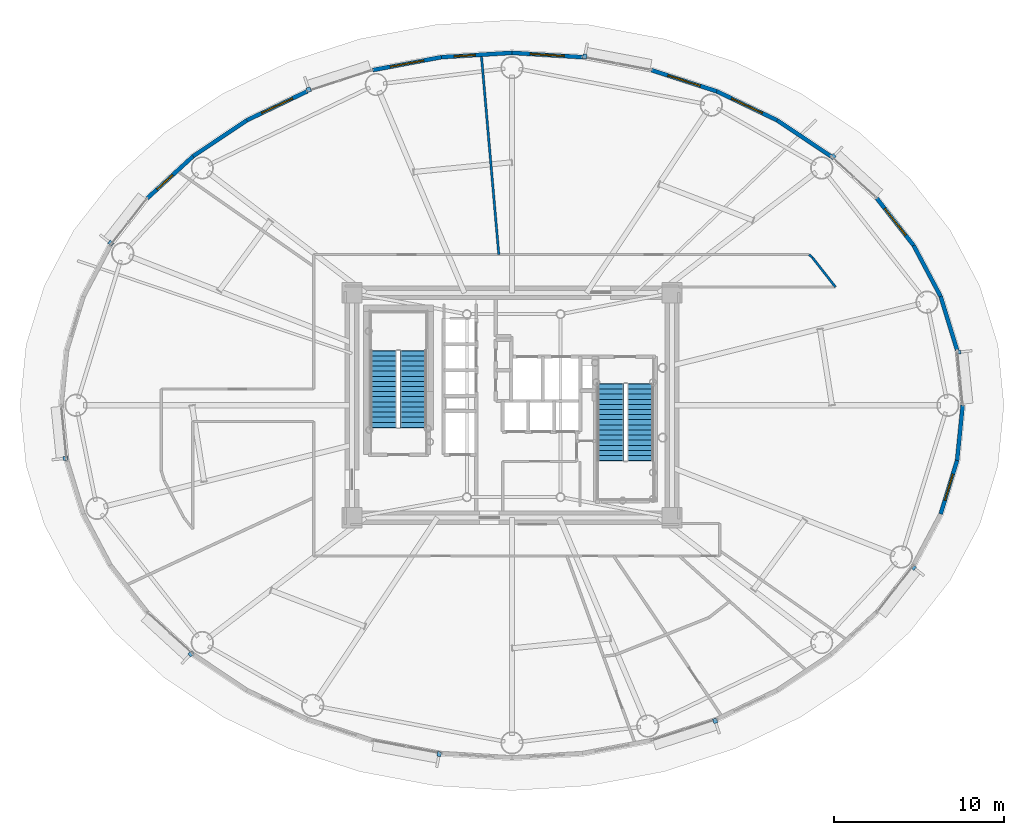
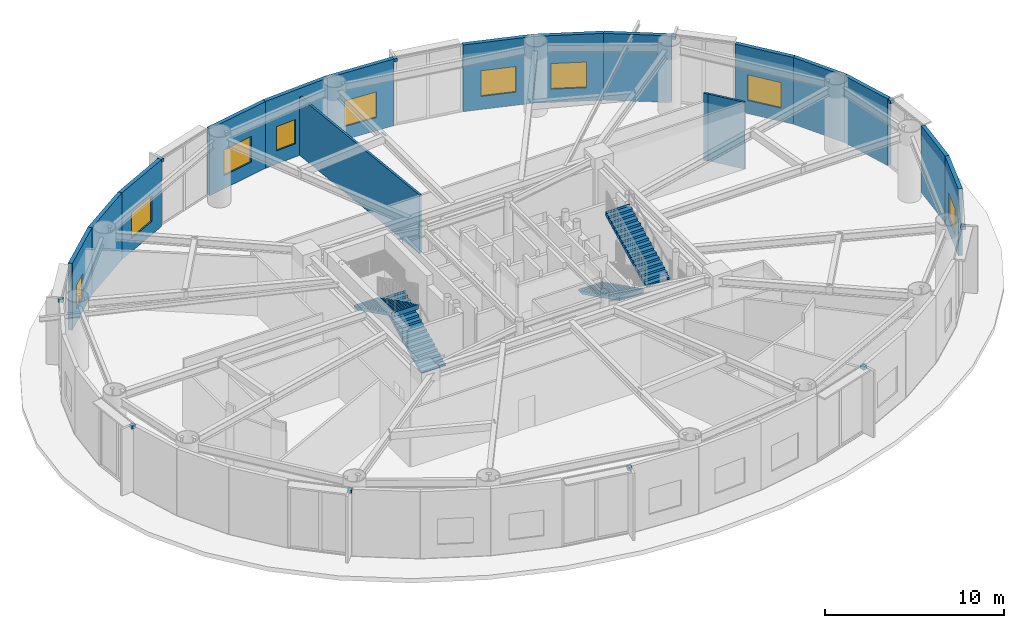
# One storey, part 30 of 38: 17 walls, 10 discrete accessories, 9 windows, 4 stair flights, 9 openings, 2 elements without a shape of their own.
"""IFC4 building model written with IfcOpenShell, lengths in metres."""

from ifc_helpers import new_model, si_unit, direction, frame, frame_2d, origin, origin_2d, place, context, subcontext, project, spatial, polyline, rectangle, outline, extrude, source, transform, mapped, material, layer, layer_set, type_object, element, fill, aggregate, save


model = new_model("IFC4")

# Units and contexts
model_context = context("Model", 3, precision=1e-05, world=origin(), true_north=direction((0.0, 1.0)))
body_context = subcontext(model_context, "Body", "Model", "MODEL_VIEW")
ifc_project = project(units=[si_unit("LENGTHUNIT", "METRE"), si_unit("AREAUNIT", "SQUARE_METRE"), si_unit("VOLUMEUNIT", "CUBIC_METRE"), si_unit("PLANEANGLEUNIT", "RADIAN"), si_unit("MASSUNIT", "GRAM", prefix="KILO")], contexts=[model_context])

# Site, building, storey
site_placement = place(None, origin())
site = spatial("IfcSite", under=ifc_project, at=site_placement, CompositionType="ELEMENT")
building_placement = place(site_placement, origin())
building = spatial("IfcBuilding", under=site, at=building_placement, Name="Linh Dai School and Residence Tower", CompositionType="ELEMENT")
storey_placement = place(building_placement, frame((0.0, 0.0, 151.35009765625)))
storey = spatial("IfcBuildingStorey", under=building, at=storey_placement, Name="L36", CompositionType="ELEMENT", Elevation=151.35009765625)

# Walls
ifc_material_1 = material(Name="Precast Concrete B45 (C35/45)", Category="concrete")
ifc_layer_1 = layer(ifc_material_1, 0.239990234375)
ifc_layer_set_1 = layer_set([ifc_layer_1], Name="Precast Concrete B45 (C35/45)")
wall_type_1 = type_object("IfcWallType", Name="EW-TC-240", PredefinedType="SOLIDWALL", material=ifc_layer_set_1)
wall_1_placement = place(storey_placement, frame((61.1826171875, 33.388916015625, 0.0), z_axis=(0.0, 0.0, 1.0), x_axis=(0.293097995113, -0.956082405058, 0.0)))
element("IfcWall", 1, at=wall_1_placement, inside=storey, type_object=wall_type_1, Name="L36 Terracotta Exterior Wall 02", PredefinedType="SOLIDWALL", context=body_context, shape_type="SweptSolid", body=[
    extrude(rectangle(XDim=3.30029296875, YDim=0.239990234375, at=frame_2d((1.650146484375, 0.0))), origin(), (0.0, 0.0, 1.0), 4.5498046875),
])
wall_2_placement = place(storey_placement, frame((59.595947265625, 36.388427734375, 0.0), z_axis=(0.0, 0.0, 1.0), x_axis=(0.467586874938, -0.88394712194, 0.0)))
element("IfcWall", 2, at=wall_2_placement, inside=storey, type_object=wall_type_1, Name="L36 Terracotta Exterior Wall 03", PredefinedType="SOLIDWALL", context=body_context, shape_type="SweptSolid", body=[
    extrude(rectangle(XDim=3.393310546875, YDim=0.239990234375, at=frame_2d((1.69677734375, 0.0))), origin(), (0.0, 0.0, 1.0), 4.5498046875),
])

# Wall, opening, window
wall_3_placement = place(storey_placement, frame((57.42822265625, 39.158447265625, 0.0), z_axis=(0.0, 0.0, 1.0), x_axis=(0.616287674549, -0.787521112224, 0.0)))
wall_3 = element("IfcWall", 3, at=wall_3_placement, inside=storey, type_object=wall_type_1, Name="L36 Terracotta Exterior Wall 04", PredefinedType="SOLIDWALL", context=body_context, shape_type="SweptSolid", body=[
    extrude(rectangle(XDim=3.517333984375, YDim=0.239990234375, at=frame_2d((1.7587890625, 0.0))), origin(), (0.0, 0.0, 1.0), 4.5498046875),
])
opening_1_placement = place(wall_3_placement, frame((0.758544921875, 0.0, 0.89990234375)))
opening_1 = element("IfcOpeningElement", 4, at=opening_1_placement, cuts=wall_3, Name="Opening W1", PredefinedType="OPENING", context=body_context, shape_type="SweptSolid", body=[
    extrude(rectangle(XDim=2.0, YDim=1.75, at=origin_2d()), frame((1.0, 0.1298828125, 0.875), z_axis=(0.0, -1.0, 0.0), x_axis=(1.0, 0.0, 0.0)), (0.0, 0.0, 1.0), 0.260009765625),
])
ifc_material_2 = material(Name="Double Low-E Insulated Glazing", Category="glass")
window_type_1 = type_object("IfcWindowType", Name="WN-RES-2000x1750", PartitioningType="DOUBLE_PANEL_VERTICAL", PredefinedType="WINDOW", material=ifc_material_2)
shared_shape_1 = source(origin(), body_context, "Body", "SweptSolid", [
    extrude(rectangle(XDim=2.0, YDim=1.75, at=origin_2d()), frame((1.0, 0.030029296875, 0.875), z_axis=(0.0, -1.0, 0.0), x_axis=(1.0, 0.0, 0.0)), (0.0, 0.0, 1.0), 0.06005859375),
])
window_1_placement = place(opening_1_placement, origin())
window_1 = element("IfcWindow", 5, at=window_1_placement, inside=storey, type_object=window_type_1, Name="L36 Exterior Window 04.1", OverallHeight=1.75, OverallWidth=2.0, PartitioningType="DOUBLE_PANEL_VERTICAL", PredefinedType="WINDOW", context=body_context, shape_type="MappedRepresentation", body=[
    mapped(shared_shape_1, transform((0.0, 0.0, 0.0), x_axis=(1.0, 0.0, 0.0), y_axis=(0.0, 1.0, 0.0), z_axis=(0.0, 0.0, 1.0), scale=1.0)),
])
fill(opening_1, window_1)

# Wall
wall_4_placement = place(storey_placement, frame((51.5732421875, 43.7431640625, 0.0), z_axis=(0.0, 0.0, 1.0), x_axis=(0.831228998277, -0.555930168657, 0.0)))
element("IfcWall", 6, at=wall_4_placement, inside=storey, type_object=wall_type_1, Name="L36 Terracotta Exterior Wall 06", PredefinedType="SOLIDWALL", context=body_context, shape_type="SweptSolid", body=[
    extrude(rectangle(XDim=3.800048828125, YDim=0.239990234375, at=frame_2d((1.89990234375, 0.0))), origin(), (0.0, 0.0, 1.0), 4.5498046875),
])

# Wall, opening, window
wall_5_placement = place(storey_placement, frame((48.02978515625, 45.443603515625, 0.0), z_axis=(0.0, 0.0, 1.0), x_axis=(0.901564733809, -0.432644231155, 0.0)))
wall_5 = element("IfcWall", 7, at=wall_5_placement, inside=storey, type_object=wall_type_1, Name="L36 Terracotta Exterior Wall 07", PredefinedType="SOLIDWALL", context=body_context, shape_type="SweptSolid", body=[
    extrude(rectangle(XDim=3.930419921875, YDim=0.239990234375, at=frame_2d((1.96533203125, 0.0))), origin(), (0.0, 0.0, 1.0), 4.5498046875),
])
opening_2_placement = place(wall_5_placement, frame((0.965087890625, 0.0, 0.89990234375)))
opening_2 = element("IfcOpeningElement", 8, at=opening_2_placement, cuts=wall_5, Name="Opening W1", PredefinedType="OPENING", context=body_context, shape_type="SweptSolid", body=[
    extrude(rectangle(XDim=2.0, YDim=1.75, at=origin_2d()), frame((1.0, 0.1298828125, 0.875), z_axis=(0.0, -1.0, 0.0), x_axis=(1.0, 0.0, 0.0)), (0.0, 0.0, 1.0), 0.260009765625),
])
window_2_placement = place(opening_2_placement, origin())
window_2 = element("IfcWindow", 9, at=window_2_placement, inside=storey, type_object=window_type_1, Name="L36 Exterior Window 07.1", OverallHeight=1.75, OverallWidth=2.0, PartitioningType="DOUBLE_PANEL_VERTICAL", PredefinedType="WINDOW", context=body_context, shape_type="MappedRepresentation", body=[
    mapped(shared_shape_1, transform((0.0, 0.0, 0.0), x_axis=(1.0, 0.0, 0.0), y_axis=(0.0, 1.0, 0.0), z_axis=(0.0, 0.0, 1.0), scale=1.0)),
])
fill(opening_2, window_2)

wall_6_placement = place(storey_placement, frame((44.18896484375, 46.689453125, 0.0), z_axis=(0.0, 0.0, 1.0), x_axis=(0.951209870236, -0.30854462038, 0.0)))
wall_6 = element("IfcWall", 10, at=wall_6_placement, inside=storey, type_object=wall_type_1, Name="L36 Terracotta Exterior Wall 08", PredefinedType="SOLIDWALL", context=body_context, shape_type="SweptSolid", body=[
    extrude(rectangle(XDim=4.037841796875, YDim=0.239990234375, at=frame_2d((2.01904296875, 0.0))), origin(), (0.0, 0.0, 1.0), 4.5498046875),
])
opening_3_placement = place(wall_6_placement, frame((1.018798828125, 0.0, 0.89990234375)))
opening_3 = element("IfcOpeningElement", 11, at=opening_3_placement, cuts=wall_6, Name="Opening W1", PredefinedType="OPENING", context=body_context, shape_type="SweptSolid", body=[
    extrude(rectangle(XDim=2.0, YDim=1.75, at=origin_2d()), frame((1.0, 0.1298828125, 0.875), z_axis=(0.0, -1.0, 0.0), x_axis=(1.0, 0.0, 0.0)), (0.0, 0.0, 1.0), 0.260009765625),
])
window_3_placement = place(opening_3_placement, origin())
window_3 = element("IfcWindow", 12, at=window_3_placement, inside=storey, type_object=window_type_1, Name="L36 Exterior Window 08.1", OverallHeight=1.75, OverallWidth=2.0, PartitioningType="DOUBLE_PANEL_VERTICAL", PredefinedType="WINDOW", context=body_context, shape_type="MappedRepresentation", body=[
    mapped(shared_shape_1, transform((0.0, 0.0, 0.0), x_axis=(1.0, 0.0, 0.0), y_axis=(0.0, 1.0, 0.0), z_axis=(0.0, 0.0, 1.0), scale=1.0)),
])
fill(opening_3, window_3)

wall_7_placement = place(storey_placement, frame((36.0, 47.705078125, 0.0), z_axis=(0.0, 0.0, 1.0), x_axis=(0.998104600619, -0.061540281305, 0.0)))
wall_7 = element("IfcWall", 13, at=wall_7_placement, inside=storey, type_object=wall_type_1, Name="L36 Terracotta Exterior Wall 10", PredefinedType="SOLIDWALL", context=body_context, shape_type="SweptSolid", body=[
    extrude(rectangle(XDim=4.153564453125, YDim=0.239990234375, at=frame_2d((2.07666015625, 0.0))), origin(), (0.0, 0.0, 1.0), 4.5498046875),
])
opening_4_placement = place(wall_7_placement, frame((1.076904296875, 0.0, 0.89990234375)))
opening_4 = element("IfcOpeningElement", 14, at=opening_4_placement, cuts=wall_7, Name="Opening W1", PredefinedType="OPENING", context=body_context, shape_type="SweptSolid", body=[
    extrude(rectangle(XDim=2.0, YDim=1.75, at=origin_2d()), frame((1.0, 0.1298828125, 0.875), z_axis=(0.0, -1.0, 0.0), x_axis=(1.0, 0.0, 0.0)), (0.0, 0.0, 1.0), 0.260009765625),
])
window_4_placement = place(opening_4_placement, origin())
window_4 = element("IfcWindow", 15, at=window_4_placement, inside=storey, type_object=window_type_1, Name="L36 Exterior Window 10.1", OverallHeight=1.75, OverallWidth=2.0, PartitioningType="DOUBLE_PANEL_VERTICAL", PredefinedType="WINDOW", context=body_context, shape_type="MappedRepresentation", body=[
    mapped(shared_shape_1, transform((0.0, 0.0, 0.0), x_axis=(1.0, 0.0, 0.0), y_axis=(0.0, 1.0, 0.0), z_axis=(0.0, 0.0, 1.0), scale=1.0)),
])
fill(opening_4, window_4)

wall_8_placement = place(storey_placement, frame((31.854248046875, 47.449462890625, 0.0), z_axis=(0.0, 0.0, 1.0), x_axis=(0.998104600619, 0.061540281305, 0.0)))
wall_8 = element("IfcWall", 16, at=wall_8_placement, inside=storey, type_object=wall_type_1, Name="L36 Terracotta Exterior Wall 11", PredefinedType="SOLIDWALL", context=body_context, shape_type="SweptSolid", body=[
    extrude(rectangle(XDim=4.153564453125, YDim=0.239990234375, at=frame_2d((2.07666015625, 0.0))), origin(), (0.0, 0.0, 1.0), 4.5498046875),
])
opening_5_placement = place(wall_8_placement, frame((0.74462890625, 0.0, 0.89990234375)))
opening_5 = element("IfcOpeningElement", 17, at=opening_5_placement, cuts=wall_8, Name="Opening W3", PredefinedType="OPENING", context=body_context, shape_type="SweptSolid", body=[
    extrude(rectangle(XDim=1.25, YDim=1.64990234375, at=origin_2d()), frame((0.625, 0.1298828125, 0.824951171875), z_axis=(0.0, -1.0, 0.0), x_axis=(1.0, 0.0, 0.0)), (0.0, 0.0, 1.0), 0.260009765625),
])
window_type_2 = type_object("IfcWindowType", Name="WN-RES-1250x1650", PartitioningType="SINGLE_PANEL", PredefinedType="WINDOW", material=ifc_material_2)
shared_shape_2 = source(origin(), body_context, "Body", "SweptSolid", [
    extrude(rectangle(XDim=1.25, YDim=1.64990234375, at=origin_2d()), frame((0.625, 0.030029296875, 0.824951171875), z_axis=(0.0, -1.0, 0.0), x_axis=(1.0, 0.0, 0.0)), (0.0, 0.0, 1.0), 0.06005859375),
])
window_5_placement = place(opening_5_placement, origin())
window_5 = element("IfcWindow", 18, at=window_5_placement, inside=storey, type_object=window_type_2, Name="L36 Exterior Window 11.1", OverallHeight=1.64990234375, OverallWidth=1.25, PartitioningType="SINGLE_PANEL", PredefinedType="WINDOW", context=body_context, shape_type="MappedRepresentation", body=[
    mapped(shared_shape_2, transform((0.0, 0.0, 0.0), x_axis=(1.0, 0.0, 0.0), y_axis=(0.0, 1.0, 0.0), z_axis=(0.0, 0.0, 1.0), scale=1.0)),
])
fill(opening_5, window_5)

wall_9_placement = place(storey_placement, frame((27.81103515625, 46.689453125, 0.0), z_axis=(0.0, 0.0, 1.0), x_axis=(0.982788108205, 0.184736391573, 0.0)))
wall_9 = element("IfcWall", 19, at=wall_9_placement, inside=storey, type_object=wall_type_1, Name="L36 Terracotta Exterior Wall 12", PredefinedType="SOLIDWALL", context=body_context, shape_type="SweptSolid", body=[
    extrude(rectangle(XDim=4.114013671875, YDim=0.239990234375, at=frame_2d((2.05712890625, 0.0))), origin(), (0.0, 0.0, 1.0), 4.5498046875),
])
opening_6_placement = place(wall_9_placement, frame((1.05712890625, 0.0, 0.89990234375)))
opening_6 = element("IfcOpeningElement", 20, at=opening_6_placement, cuts=wall_9, Name="Opening W1", PredefinedType="OPENING", context=body_context, shape_type="SweptSolid", body=[
    extrude(rectangle(XDim=2.0, YDim=1.75, at=origin_2d()), frame((1.0, 0.1298828125, 0.875), z_axis=(0.0, -1.0, 0.0), x_axis=(1.0, 0.0, 0.0)), (0.0, 0.0, 1.0), 0.260009765625),
])
window_6_placement = place(opening_6_placement, origin())
window_6 = element("IfcWindow", 21, at=window_6_placement, inside=storey, type_object=window_type_1, Name="L36 Exterior Window 12.1", OverallHeight=1.75, OverallWidth=2.0, PartitioningType="DOUBLE_PANEL_VERTICAL", PredefinedType="WINDOW", context=body_context, shape_type="MappedRepresentation", body=[
    mapped(shared_shape_1, transform((0.0, 0.0, 0.0), x_axis=(1.0, 0.0, 0.0), y_axis=(0.0, 1.0, 0.0), z_axis=(0.0, 0.0, 1.0), scale=1.0)),
])
fill(opening_6, window_6)

wall_10_placement = place(storey_placement, frame((20.4267578125, 43.7431640625, 0.0), z_axis=(0.0, 0.0, 1.0), x_axis=(0.901564733809, 0.432644231155, 0.0)))
wall_10 = element("IfcWall", 22, at=wall_10_placement, inside=storey, type_object=wall_type_1, Name="L36 Terracotta Exterior Wall 14", PredefinedType="SOLIDWALL", context=body_context, shape_type="SweptSolid", body=[
    extrude(rectangle(XDim=3.930419921875, YDim=0.239990234375, at=frame_2d((1.96533203125, 0.0))), origin(), (0.0, 0.0, 1.0), 4.5498046875),
])
opening_7_placement = place(wall_10_placement, frame((0.96533203125, 0.0, 0.89990234375)))
opening_7 = element("IfcOpeningElement", 23, at=opening_7_placement, cuts=wall_10, Name="Opening W1", PredefinedType="OPENING", context=body_context, shape_type="SweptSolid", body=[
    extrude(rectangle(XDim=2.0, YDim=1.75, at=origin_2d()), frame((1.0, 0.1298828125, 0.875), z_axis=(0.0, -1.0, 0.0), x_axis=(1.0, 0.0, 0.0)), (0.0, 0.0, 1.0), 0.260009765625),
])
window_7_placement = place(opening_7_placement, origin())
window_7 = element("IfcWindow", 24, at=window_7_placement, inside=storey, type_object=window_type_1, Name="L36 Exterior Window 14.1", OverallHeight=1.75, OverallWidth=2.0, PartitioningType="DOUBLE_PANEL_VERTICAL", PredefinedType="WINDOW", context=body_context, shape_type="MappedRepresentation", body=[
    mapped(shared_shape_1, transform((0.0, 0.0, 0.0), x_axis=(1.0, 0.0, 0.0), y_axis=(0.0, 1.0, 0.0), z_axis=(0.0, 0.0, 1.0), scale=1.0)),
])
fill(opening_7, window_7)

# Wall
wall_11_placement = place(storey_placement, frame((17.26806640625, 41.630615234375, 0.0), z_axis=(0.0, 0.0, 1.0), x_axis=(0.831228998277, 0.555930168657, 0.0)))
element("IfcWall", 25, at=wall_11_placement, inside=storey, type_object=wall_type_1, Name="L36 Terracotta Exterior Wall 15", PredefinedType="SOLIDWALL", context=body_context, shape_type="SweptSolid", body=[
    extrude(rectangle(XDim=3.800048828125, YDim=0.239990234375, at=frame_2d((1.89990234375, 0.0))), origin(), (0.0, 0.0, 1.0), 4.5498046875),
])

# Wall, opening, window
wall_12_placement = place(storey_placement, frame((14.57177734375, 39.158447265625, 0.0), z_axis=(0.0, 0.0, 1.0), x_axis=(0.737076565834, 0.675809245349, 0.0)))
wall_12 = element("IfcWall", 26, at=wall_12_placement, inside=storey, type_object=wall_type_1, Name="L36 Terracotta Exterior Wall 16", PredefinedType="SOLIDWALL", context=body_context, shape_type="SweptSolid", body=[
    extrude(rectangle(XDim=3.658203125, YDim=0.239990234375, at=frame_2d((1.8291015625, 0.0))), origin(), (0.0, 0.0, 1.0), 4.5498046875),
])
opening_8_placement = place(wall_12_placement, frame((0.777587890625, 0.0, 0.89990234375)))
opening_8 = element("IfcOpeningElement", 27, at=opening_8_placement, cuts=wall_12, Name="Opening W3", PredefinedType="OPENING", context=body_context, shape_type="SweptSolid", body=[
    extrude(rectangle(XDim=1.25, YDim=1.64990234375, at=origin_2d()), frame((0.625, 0.1298828125, 0.824951171875), z_axis=(0.0, -1.0, 0.0), x_axis=(1.0, 0.0, 0.0)), (0.0, 0.0, 1.0), 0.260009765625),
])
window_8_placement = place(opening_8_placement, origin())
window_8 = element("IfcWindow", 28, at=window_8_placement, inside=storey, type_object=window_type_2, Name="L36 Exterior Window 16.1", OverallHeight=1.64990234375, OverallWidth=1.25, PartitioningType="SINGLE_PANEL", PredefinedType="WINDOW", context=body_context, shape_type="MappedRepresentation", body=[
    mapped(shared_shape_2, transform((0.0, 0.0, 0.0), x_axis=(1.0, 0.0, 0.0), y_axis=(0.0, 1.0, 0.0), z_axis=(0.0, 0.0, 1.0), scale=1.0)),
])
fill(opening_8, window_8)

wall_13_placement = place(storey_placement, frame((62.14990234375, 23.766357421875, 0.0), z_axis=(0.0, 0.0, 1.0), x_axis=(-0.293097995113, -0.956082405058, 0.0)))
wall_13 = element("IfcWall", 29, at=wall_13_placement, inside=storey, type_object=wall_type_1, Name="L36 Terracotta Exterior Wall 39", PredefinedType="SOLIDWALL", context=body_context, shape_type="SweptSolid", body=[
    extrude(rectangle(XDim=3.30029296875, YDim=0.239990234375, at=frame_2d((1.650146484375, 0.0))), origin(), (0.0, 0.0, 1.0), 4.5498046875),
])
opening_9_placement = place(wall_13_placement, frame((0.85009765625, 0.0, 0.89990234375)))
opening_9 = element("IfcOpeningElement", 30, at=opening_9_placement, cuts=wall_13, Name="Opening W2", PredefinedType="OPENING", context=body_context, shape_type="SweptSolid", body=[
    extrude(rectangle(XDim=1.60009765625, YDim=1.75, at=origin_2d()), frame((0.800048828125, 0.1298828125, 0.875), z_axis=(0.0, -1.0, 0.0), x_axis=(1.0, 0.0, 0.0)), (0.0, 0.0, 1.0), 0.260009765625),
])
window_type_3 = type_object("IfcWindowType", Name="WN-RES-1600x1750", PartitioningType="DOUBLE_PANEL_VERTICAL", PredefinedType="WINDOW", material=ifc_material_2)
shared_shape_3 = source(origin(), body_context, "Body", "SweptSolid", [
    extrude(rectangle(XDim=1.60009765625, YDim=1.75, at=origin_2d()), frame((0.800048828125, 0.030029296875, 0.875), z_axis=(0.0, -1.0, 0.0), x_axis=(1.0, 0.0, 0.0)), (0.0, 0.0, 1.0), 0.06005859375),
])
window_9_placement = place(opening_9_placement, origin())
window_9 = element("IfcWindow", 31, at=window_9_placement, inside=storey, type_object=window_type_3, Name="L36 Exterior Window 39.1", OverallHeight=1.75, OverallWidth=1.60009765625, PartitioningType="DOUBLE_PANEL_VERTICAL", PredefinedType="WINDOW", context=body_context, shape_type="MappedRepresentation", body=[
    mapped(shared_shape_3, transform((0.0, 0.0, 0.0), x_axis=(1.0, 0.0, 0.0), y_axis=(0.0, 1.0, 0.0), z_axis=(0.0, 0.0, 1.0), scale=1.0)),
])
fill(opening_9, window_9)

# Walls
wall_14_placement = place(storey_placement, frame((62.47509765625, 27.0, 0.0), z_axis=(0.0, 0.0, 1.0), x_axis=(-0.100061534614, -0.994981250723, 0.0)))
element("IfcWall", 32, at=wall_14_placement, inside=storey, type_object=wall_type_1, Name="L36 Terracotta Exterior Wall 40", PredefinedType="SOLIDWALL", context=body_context, shape_type="SweptSolid", body=[
    extrude(rectangle(XDim=3.25, YDim=0.239990234375, at=frame_2d((1.625, 0.0))), origin(), (0.0, 0.0, 1.0), 4.5498046875),
])
ifc_material_3 = material(Name="Autoclaved Aerated Concrete Blockwork", Category="masonry")
ifc_layer_2 = layer(ifc_material_3, 0.135009765625)
ifc_layer_set_2 = layer_set([ifc_layer_2], Name="Autoclaved Aerated Concrete Blockwork")
wall_type_2 = type_object("IfcWallType", Name="IW-CORR-135-EI90", PredefinedType="PARTITIONING", material=ifc_layer_set_2)
wall_15_placement = place(storey_placement, frame((34.19775390625, 47.598876953125, 0.0), z_axis=(0.0, 0.0, 1.0), x_axis=(0.087171829407, -0.996193290561, 0.0)))
element("IfcWall", 33, at=wall_15_placement, inside=storey, type_object=wall_type_2, Name="L36 Interior Partition Wall 023", PredefinedType="PARTITIONING", context=body_context, shape_type="SweptSolid", body=[
    extrude(rectangle(XDim=11.793701171875, YDim=0.135009765625, at=frame_2d((5.89697265625, 0.0))), origin(), (0.0, 0.0, 1.0), 3.98486328125),
])
wall_16_placement = place(storey_placement, frame((53.453857421875, 35.85009765625, 0.0), z_axis=(0.0, 0.0, 1.0), x_axis=(0.736667385572, -0.676255249913, 0.0)))
element("IfcWall", 34, at=wall_16_placement, inside=storey, type_object=wall_type_2, Name="L36 Interior Partition Wall 056", PredefinedType="PARTITIONING", context=body_context, shape_type="SweptSolid", body=[
    extrude(rectangle(XDim=0.270751953125, YDim=0.135009765625, at=frame_2d((0.13525390625, 0.0))), origin(), (0.0, 0.0, 1.0), 4.5498046875),
])
wall_17_placement = place(storey_placement, frame((53.6533203125, 35.6669921875, 0.0), z_axis=(0.0, 0.0, 1.0), x_axis=(0.616302223209, -0.787509726713, 0.0)))
element("IfcWall", 35, at=wall_17_placement, inside=storey, type_object=wall_type_2, Name="L36 Interior Partition Wall 057", PredefinedType="PARTITIONING", context=body_context, shape_type="SweptSolid", body=[
    extrude(rectangle(XDim=2.180419921875, YDim=0.135009765625, at=frame_2d((1.09033203125, 0.0))), origin(), (0.0, 0.0, 1.0), 4.5498046875),
])

# Stair, stair flights
ifc_material_4 = material(Name="Concrete B45 (C35/45)", Category="concrete")
stair_type = type_object("IfcStairType", Name="ST-DOG-1550-R1500", PredefinedType="HALF_TURN_STAIR", material=ifc_material_4)
stair_1_placement = place(storey_placement, origin())
stair_1 = element("IfcStair", 36, at=stair_1_placement, inside=storey, type_object=stair_type, Name="L36 Core Smokeproof Exit Stair ST1", PredefinedType="HALF_TURN_STAIR")
stair_flight_type = type_object("IfcStairFlightType", Name="STF-STR-1550-R1500", PredefinedType="STRAIGHT", material=ifc_material_4)
shared_shape_4 = source(origin(), body_context, "Body", "SweptSolid", [
    extrude(outline(polyline([(-0.02490234375, 0.0), (-0.02490234375, 0.06005859375), (0.0, 0.06005859375), (0.0, 0.14990234375), (0.300048828125, 0.14990234375), (0.300048828125, 0.300048828125), (0.60009765625, 0.300048828125), (0.60009765625, 0.449951171875), (0.89990234375, 0.449951171875), (0.89990234375, 0.60009765625), (1.199951171875, 0.60009765625), (1.199951171875, 0.75), (1.5, 0.75), (1.5, 0.89990234375), (1.800048828125, 0.89990234375), (1.800048828125, 1.050048828125), (2.10009765625, 1.050048828125), (2.10009765625, 1.199951171875), (2.39990234375, 1.199951171875), (2.39990234375, 1.35009765625), (2.699951171875, 1.35009765625), (2.699951171875, 1.5), (3.0, 1.5), (3.0, 1.64990234375), (3.300048828125, 1.64990234375), (3.300048828125, 1.800048828125), (3.60009765625, 1.800048828125), (3.60009765625, 1.949951171875), (3.89990234375, 1.949951171875), (3.89990234375, 2.10009765625), (4.199951171875, 2.10009765625), (4.199951171875, 2.25), (4.5, 2.25), (4.5, 2.39990234375), (4.52490234375, 2.39990234375), (4.52490234375, 2.08251953125), (4.5, 2.08251953125), (0.335205078125, 0.0), (-0.02490234375, 0.0)])), frame((0.0, 0.77490234375, 0.0), z_axis=(0.0, -1.0, 0.0), x_axis=(1.0, 0.0, 0.0)), (0.0, 0.0, 1.0), 1.550048828125),
])
stair_flight_1_placement = place(storey_placement, frame((30.205078125, 25.699951171875, 0.0), z_axis=(0.0, 0.0, 1.0), x_axis=(0.0, 1.0, 0.0)))
stair_flight_1 = element("IfcStairFlight", 37, at=stair_flight_1_placement, type_object=stair_flight_type, Name="ST1 flight 1", NumberOfRisers=16, NumberOfTreads=15, PredefinedType="STRAIGHT", RiserHeight=0.15, TreadLength=0.3, context=body_context, shape_type="MappedRepresentation", body=[
    mapped(shared_shape_4, transform((0.0, 0.0, 0.0), x_axis=(1.0, 0.0, 0.0), y_axis=(0.0, 1.0, 0.0), z_axis=(0.0, 0.0, 1.0), scale=1.0)),
])
stair_flight_2_placement = place(storey_placement, frame((28.455078125, 30.199951171875, 2.39990234375), z_axis=(0.0, 0.0, 1.0), x_axis=(0.0, -1.0, 0.0)))
stair_flight_2 = element("IfcStairFlight", 38, at=stair_flight_2_placement, type_object=stair_flight_type, Name="ST1 flight 2", NumberOfRisers=16, NumberOfTreads=15, PredefinedType="STRAIGHT", RiserHeight=0.15, TreadLength=0.3, context=body_context, shape_type="MappedRepresentation", body=[
    mapped(shared_shape_4, transform((0.0, 0.0, 0.0), x_axis=(1.0, 0.0, 0.0), y_axis=(0.0, 1.0, 0.0), z_axis=(0.0, 0.0, 1.0), scale=1.0)),
])
aggregate(stair_1, [stair_flight_1, stair_flight_2])

stair_2_placement = place(storey_placement, origin())
stair_2 = element("IfcStair", 39, at=stair_2_placement, inside=storey, type_object=stair_type, Name="L36 Core Smokeproof Exit Stair ST2", PredefinedType="HALF_TURN_STAIR")
stair_flight_3_placement = place(storey_placement, frame((41.794921875, 28.25, 0.0), z_axis=(0.0, 0.0, 1.0), x_axis=(0.0, -1.0, 0.0)))
stair_flight_3 = element("IfcStairFlight", 40, at=stair_flight_3_placement, type_object=stair_flight_type, Name="ST2 flight 1", NumberOfRisers=16, NumberOfTreads=15, PredefinedType="STRAIGHT", RiserHeight=0.15, TreadLength=0.3, context=body_context, shape_type="MappedRepresentation", body=[
    mapped(shared_shape_4, transform((0.0, 0.0, 0.0), x_axis=(1.0, 0.0, 0.0), y_axis=(0.0, 1.0, 0.0), z_axis=(0.0, 0.0, 1.0), scale=1.0)),
])
stair_flight_4_placement = place(storey_placement, frame((43.544921875, 23.75, 2.39990234375), z_axis=(0.0, 0.0, 1.0), x_axis=(0.0, 1.0, 0.0)))
stair_flight_4 = element("IfcStairFlight", 41, at=stair_flight_4_placement, type_object=stair_flight_type, Name="ST2 flight 2", NumberOfRisers=16, NumberOfTreads=15, PredefinedType="STRAIGHT", RiserHeight=0.15, TreadLength=0.3, context=body_context, shape_type="MappedRepresentation", body=[
    mapped(shared_shape_4, transform((0.0, 0.0, 0.0), x_axis=(1.0, 0.0, 0.0), y_axis=(0.0, 1.0, 0.0), z_axis=(0.0, 0.0, 1.0), scale=1.0)),
])
aggregate(stair_2, [stair_flight_3, stair_flight_4])

# Discrete accessories
ifc_material_5 = material(Name="Structural Steel S355JR", Category="steel")
discrete_accessory_type = type_object("IfcDiscreteAccessoryType", Name="ACC-BRK-S355", PredefinedType="BRACKET", material=ifc_material_5)
shared_shape_5 = source(origin(), body_context, "Body", "SweptSolid", [
    extrude(rectangle(XDim=0.280029296875, YDim=0.239990234375, at=origin_2d()), origin(), (0.0, 0.0, 1.0), 0.219970703125),
])
for number, where, z_axis, x_axis, name in (
    (42, (62.2216796875, 30.120361328125, 4.2998046875), (0.0, 0.0, 1.0), (0.994987256586, 0.100001796141, 0.0), "L36 Facade Frame Anchor Bracket 01"),
    (43, (54.861083984375, 41.59375, 4.2998046875), (0.0, 0.0, 1.0), (0.67580001435, 0.737085029426, 0.0), "L36 Facade Frame Anchor Bracket 05"),
    (44, (40.27490234375, 47.486328125, 4.2998046875), (0.0, 0.0, 1.0), (0.184762540184, 0.982783192645, 0.0), "L36 Facade Frame Anchor Bracket 09"),
    (45, (24.06591796875, 45.53759765625, 4.2998046875), (0.0, 0.0, 1.0), (-0.308535707031, 0.951212761419, 0.0), "L36 Facade Frame Anchor Bracket 13"),
    (46, (12.4306640625, 36.52001953125, 4.2998046875), (0.0, 0.0, 1.0), (-0.787522158319, 0.616286337798, 0.0), "L36 Facade Frame Anchor Bracket 17"),
    (47, (9.7783203125, 23.879638671875, 4.2998046875), (0.0, 0.0, 1.0), (-0.994987256586, -0.100001796141, 0.0), "L36 Facade Frame Anchor Bracket 21"),
    (48, (17.138916015625, 12.40625, 4.2998046875), (0.0, 0.0, 1.0), (-0.67580001435, -0.737085029426, 0.0), "L36 Facade Frame Anchor Bracket 25"),
    (49, (31.72509765625, 6.513671875, 4.2998046875), (0.0, 0.0, 1.0), (-0.184762540184, -0.982783192645, 0.0), "L36 Facade Frame Anchor Bracket 29"),
    (50, (47.93408203125, 8.46240234375, 4.2998046875), (0.0, 0.0, 1.0), (0.308535707031, -0.951212761419, 0.0), "L36 Facade Frame Anchor Bracket 33"),
    (51, (59.5693359375, 17.47998046875, 4.2998046875), (0.0, 0.0, 1.0), (0.787522158319, -0.616286337798, 0.0), "L36 Facade Frame Anchor Bracket 37"),
):
    element("IfcDiscreteAccessory", number, at=place(storey_placement, frame(where, z_axis=z_axis, x_axis=x_axis)), inside=storey, type_object=discrete_accessory_type, Name=name, PredefinedType="BRACKET", context=body_context, shape_type="MappedRepresentation", body=[
        mapped(shared_shape_5, transform((0.0, 0.0, 0.0), x_axis=(1.0, 0.0, 0.0), y_axis=(0.0, 1.0, 0.0), z_axis=(0.0, 0.0, 1.0), scale=1.0)),
    ])

save(model, "model.ifc")
